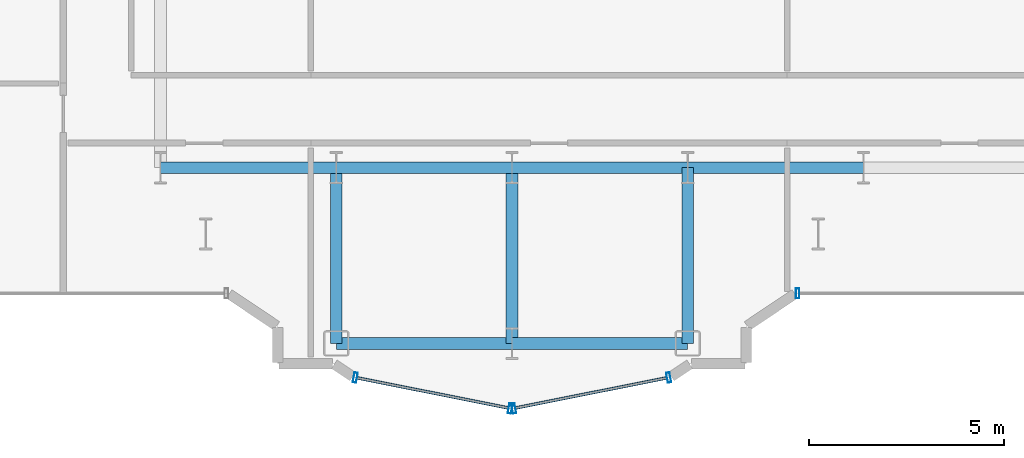
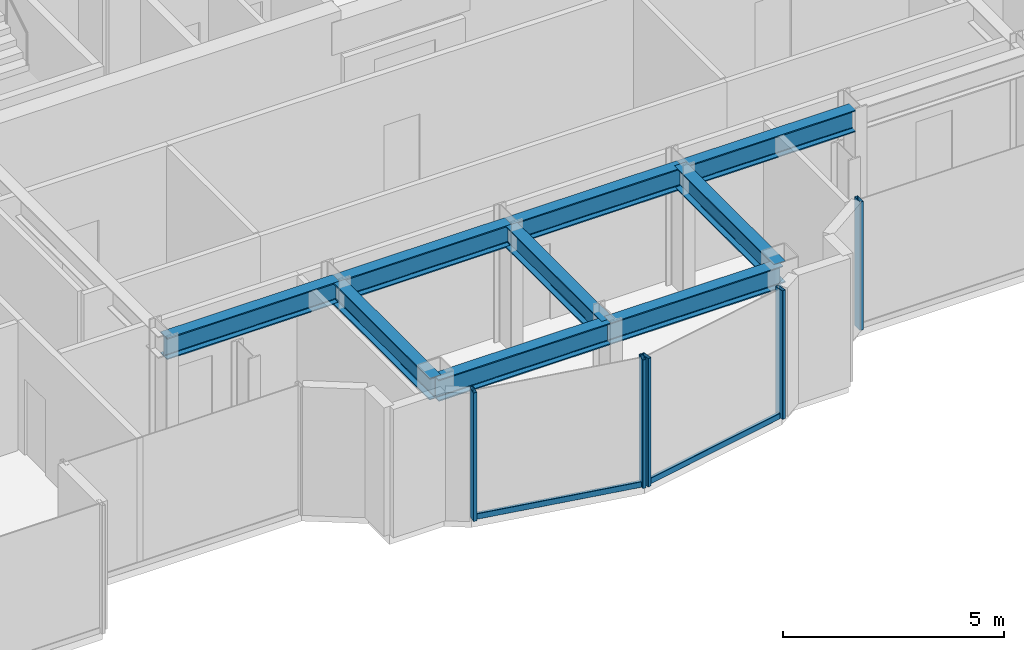
# One storey, part 3 of 20: 9 beams, 7 members, 3 elements without a shape of their own.
"""IFC4 building model written with IfcOpenShell, lengths in metres."""

import ifcopenshell
import ifcopenshell.guid

model = None  # the IFC model being written
_history = None  # IfcOwnerHistory: only IFC2X3 demands one
_inside = {}  # id of a spatial element -> (the spatial element, [elements in it])
_under = {}  # id of a project, library or spatial element -> (it, [spatial elements below it])
_declared = {}  # id of a project -> (the project, [libraries it declares])
_typed = {}  # id of a type object -> (the type object, [elements of that type])
_made_of = {}  # id of a material, layer set ... -> (it, [elements and type objects made of it])


def new_model(schema):
    """Start an empty IFC model of exactly this schema.

    Asked for "IFC4X3", IfcOpenShell would pick the latest addendum, in which some entities
    have other attributes; the version numbers below select the first issue.
    IFC2X3 requires an IfcOwnerHistory on every rooted entity: one is made here for all.
    """
    global model, _history
    if schema == "IFC4X3":
        model = ifcopenshell.file(schema_version=(4, 3, 0, 0))
    else:
        model = ifcopenshell.file(schema=schema)
    _inside.clear()
    _under.clear()
    _declared.clear()
    _typed.clear()
    _made_of.clear()
    _history = None
    if model.schema == "IFC2X3":
        org = make("IfcOrganization", Name="unknown")
        user = make(
            "IfcPersonAndOrganization",
            ThePerson=make("IfcPerson", FamilyName="unknown"),
            TheOrganization=org,
        )
        app = make(
            "IfcApplication",
            ApplicationDeveloper=org,
            Version="unknown",
            ApplicationFullName="unknown",
            ApplicationIdentifier="unknown",
        )
        _history = make(
            "IfcOwnerHistory",
            OwningUser=user,
            OwningApplication=app,
            ChangeAction="ADDED",
            CreationDate=0,
        )
    return model


def make(cls, **values):
    """One entity of the class cls with the attributes given. An attribute that is None is left unset."""
    return model.create_entity(
        cls, **{name: value for name, value in values.items() if value is not None}
    )


def rooted(cls, **values):
    """An entity with a GlobalId (a new one), such as an element, a storey or a relation."""
    return make(cls, GlobalId=ifcopenshell.guid.new(), OwnerHistory=_history, **values)


def si_unit(unit_type, name, prefix=None):
    """IfcSIUnit, for example si_unit("LENGTHUNIT", "METRE", prefix="MILLI")."""
    return make("IfcSIUnit", UnitType=unit_type, Prefix=prefix, Name=name)


def assignment(units):
    """IfcUnitAssignment: the units of a project."""
    return None if units is None else make("IfcUnitAssignment", Units=units)


def point(xyz):
    """IfcCartesianPoint."""
    return None if xyz is None else make("IfcCartesianPoint", Coordinates=xyz)


def direction(xyz):
    """IfcDirection."""
    return None if xyz is None else make("IfcDirection", DirectionRatios=xyz)


def frame(location, z_axis=None, x_axis=None):
    """IfcAxis2Placement3D, a coordinate frame: its origin and axes. An axis left out is left unset."""
    return make(
        "IfcAxis2Placement3D",
        Location=point(location),
        Axis=direction(z_axis),
        RefDirection=direction(x_axis),
    )


def frame_2d(location, x_axis=None):
    """IfcAxis2Placement2D, a coordinate frame in the plane: its origin and x axis."""
    return make(
        "IfcAxis2Placement2D", Location=point(location), RefDirection=direction(x_axis)
    )


def origin():
    """The frame at (0, 0, 0) with its axes left unset."""
    return frame((0.0, 0.0, 0.0))


def origin_2d():
    """The frame at (0, 0) in the plane with its x axis left unset."""
    return frame_2d((0.0, 0.0))


def place(relative_to, where):
    """IfcLocalPlacement: puts the frame where relative to a parent placement (None: the world)."""
    return make(
        "IfcLocalPlacement", PlacementRelTo=relative_to, RelativePlacement=where
    )


def context(
    kind, dimensions, precision=None, world=None, true_north=None, identifier=None
):
    """IfcGeometricRepresentationContext, for example the 3D "Model" context."""
    return make(
        "IfcGeometricRepresentationContext",
        ContextIdentifier=identifier,
        ContextType=kind,
        CoordinateSpaceDimension=dimensions,
        Precision=precision,
        WorldCoordinateSystem=world,
        TrueNorth=true_north,
    )


def subcontext(parent, identifier, kind, view, scale=None):
    """IfcGeometricRepresentationSubContext, for example "Body" below "Model"."""
    return make(
        "IfcGeometricRepresentationSubContext",
        ContextIdentifier=identifier,
        ContextType=kind,
        ParentContext=parent,
        TargetScale=scale,
        TargetView=view,
    )


def project(units=None, contexts=None):
    """IfcProject with its units and contexts."""
    return rooted(
        "IfcProject",
        Name="project",
        RepresentationContexts=contexts,
        UnitsInContext=assignment(units),
    )


def spatial(cls, under=None, at=None, **own):
    """A site, building, storey or space (cls), placed at a placement, below another one or the project."""
    s = rooted(cls, ObjectPlacement=at, **own)
    if under is not None:
        _under.setdefault(under.id(), (under, []))[1].append(s)
    return s


def profile(cls, at=None, kind="AREA", **sizes):
    """A parametric profile (cls). Its sizes go by their IFC names, for example OverallWidth=200.0."""
    return make(cls, ProfileType=kind, Position=at, **sizes)


def hollow_rectangle(**sizes):
    """IfcRectangleHollowProfileDef."""
    return profile("IfcRectangleHollowProfileDef", **sizes)


def i_section(**sizes):
    """IfcIShapeProfileDef."""
    return profile("IfcIShapeProfileDef", **sizes)


def extrude(swept, where, along, depth):
    """IfcExtrudedAreaSolid: the profile swept, set in the frame where, extruded along a direction by depth."""
    return make(
        "IfcExtrudedAreaSolid",
        SweptArea=swept,
        Position=where,
        ExtrudedDirection=direction(along),
        Depth=depth,
    )


def shape(context_of_items, identifier, shape_type, items):
    """IfcShapeRepresentation: the items that make up one representation, for example the "Body"."""
    return make(
        "IfcShapeRepresentation",
        ContextOfItems=context_of_items,
        RepresentationIdentifier=identifier,
        RepresentationType=shape_type,
        Items=items,
    )


def source(mapping_origin, context_of_items, identifier, shape_type, items):
    """IfcRepresentationMap: a shape defined once, which mapped items show again and again."""
    return make(
        "IfcRepresentationMap",
        MappingOrigin=mapping_origin,
        MappedRepresentation=shape(context_of_items, identifier, shape_type, items),
    )


def transform(
    local_origin,
    x_axis=None,
    y_axis=None,
    z_axis=None,
    scale=None,
    scale2=None,
    scale3=None,
    uniform=True,
):
    """IfcCartesianTransformationOperator3D, or its non-uniform kind. x_axis, y_axis, z_axis: its Axis1, 2, 3."""
    if uniform:
        return make(
            "IfcCartesianTransformationOperator3D",
            Axis1=direction(x_axis),
            Axis2=direction(y_axis),
            LocalOrigin=point(local_origin),
            Scale=scale,
            Axis3=direction(z_axis),
        )
    return make(
        "IfcCartesianTransformationOperator3DnonUniform",
        Axis1=direction(x_axis),
        Axis2=direction(y_axis),
        LocalOrigin=point(local_origin),
        Scale=scale,
        Axis3=direction(z_axis),
        Scale2=scale2,
        Scale3=scale3,
    )


def mapped(mapping_source, mapping_target):
    """IfcMappedItem: shows the shape of a source again, moved by a transform."""
    return make(
        "IfcMappedItem", MappingSource=mapping_source, MappingTarget=mapping_target
    )


def material(Name=None, Category=None):
    """IfcMaterial."""
    return make("IfcMaterial", Name=Name, Category=Category)


def layer(
    of_material, thickness, ventilated=None, Name=None, Category=None, Priority=None
):
    """IfcMaterialLayer: one layer of a wall or slab, of a material (None: an air gap)."""
    return make(
        "IfcMaterialLayer",
        Material=of_material,
        LayerThickness=thickness,
        IsVentilated=ventilated,
        Name=Name,
        Category=Category,
        Priority=Priority,
    )


def layer_set(layers, Name=None):
    """IfcMaterialLayerSet."""
    return make("IfcMaterialLayerSet", MaterialLayers=layers, LayerSetName=Name)


def material_profile(
    of_material, cross_section, Name=None, Category=None, Priority=None
):
    """IfcMaterialProfile: a cross section and its material."""
    return make(
        "IfcMaterialProfile",
        Name=Name,
        Material=of_material,
        Profile=cross_section,
        Priority=Priority,
        Category=Category,
    )


def profile_set(profiles, Name=None, composite=None):
    """IfcMaterialProfileSet."""
    return make(
        "IfcMaterialProfileSet",
        Name=Name,
        MaterialProfiles=profiles,
        CompositeProfile=composite,
    )


def made_of(thing, what):
    """Note that an element or type object is made of a material, layer set ...; save() writes the relation."""
    if what is not None:
        _made_of.setdefault(what.id(), (what, []))[1].append(thing)
    return thing


def type_object(cls, material=None, **own):
    """A type object (cls), such as IfcWallType, which elements share."""
    return made_of(rooted(cls, **own), material)


def element(
    cls,
    number,
    at=None,
    inside=None,
    cuts=None,
    type_object=None,
    material=None,
    context=None,
    identifier="Body",
    shape_type=None,
    held_by="IfcProductDefinitionShape",
    body=None,
    shapes=None,
    **own,
):
    """One element of the class cls, such as IfcWall. Its Tag is "e" and its number.

    at: its placement. inside: the storey or other place that contains it. cuts: it is an
    opening in that element (IfcRelVoidsElement). A single representation is given by context,
    identifier, shape_type and body (its items); several are given by shapes. held_by: the class
    of the entity that holds the representations. save() writes the other relations.
    """
    e = rooted(cls, Tag="e%d" % number, ObjectPlacement=at, **own)
    if body is not None:
        shapes = [shape(context, identifier, shape_type, body)]
    if shapes is not None:
        e.Representation = make(held_by, Representations=shapes)
    if inside is not None:
        _inside.setdefault(inside.id(), (inside, []))[1].append(e)
    if cuts is not None:
        rooted(
            "IfcRelVoidsElement", RelatingBuildingElement=cuts, RelatedOpeningElement=e
        )
    if type_object is not None:
        _typed.setdefault(type_object.id(), (type_object, []))[1].append(e)
    return made_of(e, material)


def aggregate(whole, parts):
    """IfcRelAggregates: a whole, such as a stair, and the parts it consists of."""
    return rooted("IfcRelAggregates", RelatingObject=whole, RelatedObjects=parts)


def save(model, path):
    """Write the relations noted so far, then the file.

    IfcRelAggregates (storeys below a building ...), IfcRelContainedInSpatialStructure (elements
    in a storey), IfcRelDefinesByType, IfcRelAssociatesMaterial and IfcRelDeclares: one each for
    every whole, place, type object, material and project.
    """
    for whole, parts in _under.values():
        aggregate(whole, parts)
    for where, things in _inside.values():
        rooted(
            "IfcRelContainedInSpatialStructure",
            RelatedElements=things,
            RelatingStructure=where,
        )
    for kind, things in _typed.values():
        rooted("IfcRelDefinesByType", RelatedObjects=things, RelatingType=kind)
    for what, things in _made_of.values():
        rooted("IfcRelAssociatesMaterial", RelatedObjects=things, RelatingMaterial=what)
    for by, libraries in _declared.values():
        rooted("IfcRelDeclares", RelatingContext=by, RelatedDefinitions=libraries)
    model.write(path)


model = new_model("IFC4")

# Units and contexts
model_context = context("Model", 3, precision=1e-05, world=origin(), true_north=direction((0.0, 1.0)))
body_context = subcontext(model_context, "Body", "Model", "MODEL_VIEW")
ifc_project = project(units=[si_unit("LENGTHUNIT", "METRE"), si_unit("AREAUNIT", "SQUARE_METRE"), si_unit("VOLUMEUNIT", "CUBIC_METRE"), si_unit("PLANEANGLEUNIT", "RADIAN"), si_unit("MASSUNIT", "GRAM", prefix="KILO")], contexts=[model_context])

# Site, building, storey
site_placement = place(None, origin())
site = spatial("IfcSite", under=ifc_project, at=site_placement, CompositionType="ELEMENT")
building_placement = place(site_placement, origin())
building = spatial("IfcBuilding", under=site, at=building_placement, Name="Nefas-Gora Pilgrimage Tower", CompositionType="ELEMENT")
storey_placement = place(building_placement, frame((0.0, 0.0, 244.60009765625)))
storey = spatial("IfcBuildingStorey", under=building, at=storey_placement, Name="L61", CompositionType="ELEMENT", Elevation=244.60009765625)

# Beams
ifc_material_1 = material(Name="Steel S355", Category="steel")
ifc_material_profile_1 = material_profile(ifc_material_1, i_section(OverallWidth=0.300048828125, OverallDepth=0.60009765625, WebThickness=0.015380859375, FlangeThickness=0.030029296875, FilletRadius=0.027099609375, at=origin_2d()), Name="HEB 600")
ifc_profile_set_1 = profile_set([ifc_material_profile_1], Name="Steel S355")
beam_type = type_object("IfcBeamType", Name="BM-GIR-HEB600", PredefinedType="BEAM", material=ifc_profile_set_1)
shared_shape_1 = source(origin(), body_context, "Body", "SweptSolid", [
    extrude(i_section(OverallWidth=0.300048828125, OverallDepth=0.60009765625, WebThickness=0.015380859375, FlangeThickness=0.030029296875, FilletRadius=0.027099609375, at=origin_2d()), origin(), (0.0, 0.0, 1.0), 4.5),
])
for number, where, z_axis, x_axis, name in (
    (1, (-11.25, -18.0, 3.25), (1.0, 0.0, 0.0), (0.0, 1.0, 0.0), "L61 G-04 beam"),
    (2, (-6.75, -22.5, 3.25), (0.0, 1.0, 0.0), (-1.0, 0.0, 0.0), "L61 G-04 beam"),
    (3, (-6.75, -22.5, 3.25), (1.0, 0.0, 0.0), (0.0, 1.0, 0.0), "L61 G-04 beam"),
    (4, (-6.75, -18.0, 3.25), (1.0, 0.0, 0.0), (0.0, 1.0, 0.0), "L61 G-04 beam"),
    (5, (-2.25, -22.5, 3.25), (0.0, 1.0, 0.0), (-1.0, 0.0, 0.0), "L61 G-04 beam"),
    (6, (-2.25, -22.5, 3.25), (1.0, 0.0, 0.0), (0.0, 1.0, 0.0), "L61 G-04 beam"),
    (7, (-2.25, -18.0, 3.25), (1.0, 0.0, 0.0), (0.0, 1.0, 0.0), "L61 G-04 beam"),
    (8, (2.25, -22.5, 3.25), (0.0, 1.0, 0.0), (-1.0, 0.0, 0.0), "L61 G-04 beam"),
    (9, (2.25, -18.0, 3.25), (1.0, 0.0, 0.0), (0.0, 1.0, 0.0), "L61 G-04 beam"),
):
    element("IfcBeam", number, at=place(storey_placement, frame(where, z_axis=z_axis, x_axis=x_axis)), inside=storey, type_object=beam_type, Name=name, PredefinedType="BEAM", context=body_context, shape_type="MappedRepresentation", body=[
        mapped(shared_shape_1, transform((0.0, 0.0, 0.0), x_axis=(1.0, 0.0, 0.0), y_axis=(0.0, 1.0, 0.0), z_axis=(0.0, 0.0, 1.0), scale=1.0)),
    ])

# Curtain wall, member
ifc_material_2 = material(Name="Dark ceramic-fritted solar-control aluminium-glass curtain wall", Category="aluminium")
ifc_layer = layer(ifc_material_2, 0.219970703125)
ifc_layer_set = layer_set([ifc_layer], Name="Dark ceramic-fritted solar-control aluminium-glass curtain wall")
curtain_wall_type = type_object("IfcCurtainWallType", Name="CW-SYS-5", PredefinedType="NOTDEFINED", material=ifc_layer_set)
curtain_wall_1_placement = place(storey_placement, origin())
curtain_wall_1 = element("IfcCurtainWall", 10, at=curtain_wall_1_placement, inside=storey, type_object=curtain_wall_type, Name="L61 Unitised Curtain Wall CW5", PredefinedType="NOTDEFINED")
ifc_material_3 = material(Name="Anodised architectural aluminium", Category="aluminium")
ifc_material_profile_2 = material_profile(ifc_material_3, hollow_rectangle(XDim=0.080078125, YDim=0.159912109375, WallThickness=0.00439453125, InnerFilletRadius=0.00439453125, OuterFilletRadius=0.009033203125, at=origin_2d()), Name="ALU TRANSOM 80x160")
ifc_profile_set_2 = profile_set([ifc_material_profile_2], Name="Anodised architectural aluminium")
member_type_1 = type_object("IfcMemberType", Name="CWM-TRN-5", PredefinedType="USERDEFINED", material=ifc_profile_set_2)
shared_shape_2 = source(origin(), body_context, "Body", "SweptSolid", [
    extrude(hollow_rectangle(XDim=0.080078125, YDim=0.159912109375, WallThickness=0.00439453125, InnerFilletRadius=0.00439453125, OuterFilletRadius=0.009033203125, at=origin_2d()), origin(), (0.0, 0.0, 1.0), 3.95654296875),
])
member_1_placement = place(storey_placement, frame((-6.218994140625, -23.3828125, 0.0498046875), z_axis=(0.980781880918, -0.195107411605, 0.0), x_axis=(0.195107411605, 0.980781880918, 0.0)))
member_1 = element("IfcMember", 11, at=member_1_placement, type_object=member_type_1, Name="CW5 Spandrel Transom", ObjectType="TRANSOM", PredefinedType="USERDEFINED", context=body_context, shape_type="MappedRepresentation", body=[
    mapped(shared_shape_2, transform((0.0, 0.0, 0.0), x_axis=(1.0, 0.0, 0.0), y_axis=(0.0, 1.0, 0.0), z_axis=(0.0, 0.0, 1.0), scale=1.0)),
])

curtain_wall_2_placement = place(storey_placement, origin())
curtain_wall_2 = element("IfcCurtainWall", 12, at=curtain_wall_2_placement, inside=storey, type_object=curtain_wall_type, Name="L61 Unitised Curtain Wall CW5", PredefinedType="NOTDEFINED")
member_2_placement = place(storey_placement, frame((-2.16162109375, -24.15478515625, 0.0498046875), z_axis=(0.980781880918, 0.195107411605, 0.0), x_axis=(-0.195107411605, 0.980781880918, 0.0)))
member_2 = element("IfcMember", 13, at=member_2_placement, type_object=member_type_1, Name="CW5 Spandrel Transom", ObjectType="TRANSOM", PredefinedType="USERDEFINED", context=body_context, shape_type="MappedRepresentation", body=[
    mapped(shared_shape_2, transform((0.0, 0.0, 0.0), x_axis=(1.0, 0.0, 0.0), y_axis=(0.0, 1.0, 0.0), z_axis=(0.0, 0.0, 1.0), scale=1.0)),
])

curtain_wall_3_placement = place(storey_placement, origin())
curtain_wall_3 = element("IfcCurtainWall", 14, at=curtain_wall_3_placement, inside=storey, type_object=curtain_wall_type, Name="L61 Unitised Curtain Wall CW5", PredefinedType="NOTDEFINED")
ifc_material_profile_3 = material_profile(ifc_material_3, hollow_rectangle(XDim=0.090087890625, YDim=0.260009765625, WallThickness=0.006103515625, InnerFilletRadius=0.006103515625, OuterFilletRadius=0.011962890625, at=origin_2d()), Name="ALU MULLION 90x260")
ifc_profile_set_3 = profile_set([ifc_material_profile_3], Name="Anodised architectural aluminium")
member_type_2 = type_object("IfcMemberType", Name="CWM-MUL-5", PredefinedType="MULLION", material=ifc_profile_set_3)
shared_shape_3 = source(origin(), body_context, "Body", "SweptSolid", [
    extrude(hollow_rectangle(XDim=0.090087890625, YDim=0.260009765625, WallThickness=0.006103515625, InnerFilletRadius=0.006103515625, OuterFilletRadius=0.011962890625, at=origin_2d()), origin(), (0.0, 0.0, 1.0), 3.5498046875),
])
member_3_placement = place(storey_placement, frame((5.06298828125, -21.219970703125, 0.0), z_axis=(0.0, 0.0, 1.0), x_axis=(1.0, 0.0, 0.0)))
member_3 = element("IfcMember", 15, at=member_3_placement, type_object=member_type_2, Name="CW5 Mullion 1", PredefinedType="MULLION", context=body_context, shape_type="MappedRepresentation", body=[
    mapped(shared_shape_3, transform((0.0, 0.0, 0.0), x_axis=(1.0, 0.0, 0.0), y_axis=(0.0, 1.0, 0.0), z_axis=(0.0, 0.0, 1.0), scale=1.0)),
])
aggregate(curtain_wall_3, [member_3])

# Member
member_4_placement = place(storey_placement, frame((-6.26318359375, -23.3740234375, 0.0), z_axis=(0.0, 0.0, 1.0), x_axis=(0.980782896852, -0.195102304554, 0.0)))
member_4 = element("IfcMember", 16, at=member_4_placement, type_object=member_type_2, Name="CW5 Mullion 1", PredefinedType="MULLION", context=body_context, shape_type="MappedRepresentation", body=[
    mapped(shared_shape_3, transform((0.0, 0.0, 0.0), x_axis=(1.0, 0.0, 0.0), y_axis=(0.0, 1.0, 0.0), z_axis=(0.0, 0.0, 1.0), scale=1.0)),
])

member_5_placement = place(storey_placement, frame((-2.294189453125, -24.16357421875, 0.0), z_axis=(0.0, 0.0, 1.0), x_axis=(0.980782896852, -0.195102304554, 0.0)))
member_5 = element("IfcMember", 17, at=member_5_placement, type_object=member_type_2, Name="CW5 Mullion 2", PredefinedType="MULLION", context=body_context, shape_type="MappedRepresentation", body=[
    mapped(shared_shape_3, transform((0.0, 0.0, 0.0), x_axis=(1.0, 0.0, 0.0), y_axis=(0.0, 1.0, 0.0), z_axis=(0.0, 0.0, 1.0), scale=1.0)),
])

aggregate(curtain_wall_1, [member_4, member_5, member_1])

member_6_placement = place(storey_placement, frame((-2.205810546875, -24.16357421875, 0.0), z_axis=(0.0, 0.0, 1.0), x_axis=(0.980782896852, 0.195102304554, 0.0)))
member_6 = element("IfcMember", 18, at=member_6_placement, type_object=member_type_2, Name="CW5 Mullion 1", PredefinedType="MULLION", context=body_context, shape_type="MappedRepresentation", body=[
    mapped(shared_shape_3, transform((0.0, 0.0, 0.0), x_axis=(1.0, 0.0, 0.0), y_axis=(0.0, 1.0, 0.0), z_axis=(0.0, 0.0, 1.0), scale=1.0)),
])

member_7_placement = place(storey_placement, frame((1.76318359375, -23.3740234375, 0.0), z_axis=(0.0, 0.0, 1.0), x_axis=(0.980782896852, 0.195102304554, 0.0)))
member_7 = element("IfcMember", 19, at=member_7_placement, type_object=member_type_2, Name="CW5 Mullion 2", PredefinedType="MULLION", context=body_context, shape_type="MappedRepresentation", body=[
    mapped(shared_shape_3, transform((0.0, 0.0, 0.0), x_axis=(1.0, 0.0, 0.0), y_axis=(0.0, 1.0, 0.0), z_axis=(0.0, 0.0, 1.0), scale=1.0)),
])

aggregate(curtain_wall_2, [member_6, member_7, member_2])

save(model, "model.ifc")
